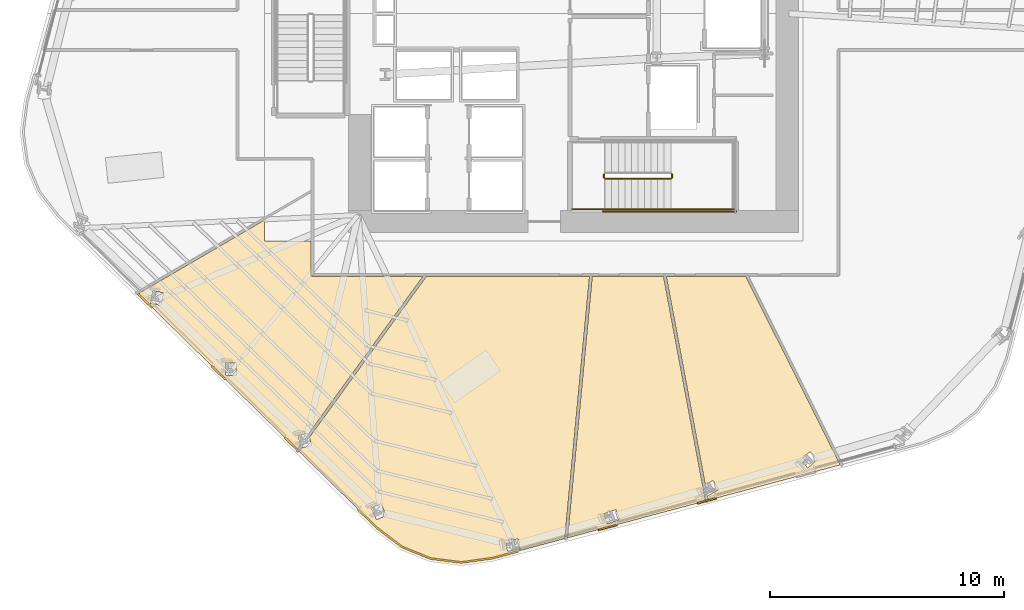
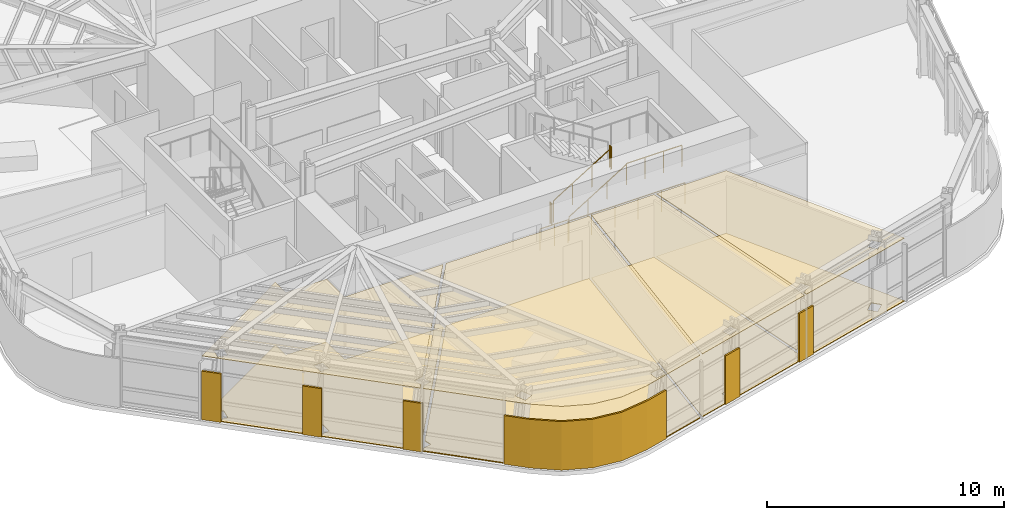
# One storey, part 11 of 16: 14 coverings, 7 railings.
"""IFC4 building model written with IfcOpenShell, lengths in metres."""

from ifc_helpers import new_model, si_unit, direction, frame, origin, origin_2d, place, context, subcontext, project, spatial, polyline, circle, outline, extrude, material, layer, layer_set, type_object, element, save


model = new_model("IFC4")

# Units and contexts
model_context = context("Model", 3, precision=1e-05, world=origin(), true_north=direction((0.0, 1.0)))
body_context = subcontext(model_context, "Body", "Model", "MODEL_VIEW")
ifc_project = project(units=[si_unit("LENGTHUNIT", "METRE"), si_unit("AREAUNIT", "SQUARE_METRE"), si_unit("VOLUMEUNIT", "CUBIC_METRE"), si_unit("PLANEANGLEUNIT", "RADIAN"), si_unit("MASSUNIT", "GRAM", prefix="KILO")], contexts=[model_context])

# Site, building, storey
site_placement = place(None, origin())
site = spatial("IfcSite", under=ifc_project, at=site_placement, CompositionType="ELEMENT")
building_placement = place(site_placement, origin())
building = spatial("IfcBuilding", under=site, at=building_placement, Name="Valkerne Bourse Tower", CompositionType="ELEMENT")
storey_placement = place(building_placement, frame((0.0, 0.0, 89.60009765625)))
storey = spatial("IfcBuildingStorey", under=building, at=storey_placement, Name="L22", CompositionType="ELEMENT", Elevation=89.60009765625)

# Coverings
ifc_material_1 = material(Name="Mineral Fiber Acoustic Ceiling Tile", Category="acoustic")
ifc_layer_1 = layer(ifc_material_1, 0.02490234375)
ifc_layer_set_1 = layer_set([ifc_layer_1], Name="Mineral Fiber Acoustic Ceiling Tile")
covering_type_1 = type_object("IfcCoveringType", Name="COV-CEIL-ACT", PredefinedType="CEILING", material=ifc_layer_set_1)
covering_1_placement = place(storey_placement, frame((0.0, 0.0, 3.22998046875)))
element("IfcCovering", 1, at=covering_1_placement, inside=storey, type_object=covering_type_1, Name="L22 Suspended Ceiling 03", PredefinedType="CEILING", context=body_context, shape_type="SweptSolid", body=[
    extrude(outline(polyline([(54.152099609375, 15.781005859375), (58.1826171875, 7.732421875), (52.54833984375, 6.22314453125), (52.510986328125, 6.421875), (52.521484375, 6.404541015625), (52.5244140625, 6.405517578125), (52.984130859375, 6.682861328125), (52.752685546875, 7.068603515625), (52.74951171875, 7.067626953125), (52.4267578125, 6.872802734375), (50.759521484375, 15.781005859375), (54.152099609375, 15.781005859375)]), holes=[polyline([(56.805908203125, 7.602783203125), (57.19970703125, 7.9677734375), (56.894287109375, 8.29833984375), (56.8916015625, 8.296875), (56.497802734375, 7.931640625), (56.80322265625, 7.601318359375), (56.805908203125, 7.602783203125)])]), origin(), (0.0, 0.0, 1.0), 0.02490234375),
])
covering_2_placement = place(storey_placement, frame((0.0, 0.0, 3.22998046875)))
element("IfcCovering", 2, at=covering_2_placement, inside=storey, type_object=covering_type_1, Name="L22 Suspended Ceiling 04", PredefinedType="CEILING", context=body_context, shape_type="SweptSolid", body=[
    extrude(outline(polyline([(50.6396484375, 15.781005859375), (52.31884765625, 6.807861328125), (52.289794921875, 6.790283203125), (52.336669921875, 6.712158203125), (52.43408203125, 6.1923828125), (46.543212890625, 4.614501953125), (47.598876953125, 15.781005859375), (50.6396484375, 15.781005859375)]), holes=[polyline([(48.75439453125, 5.400146484375), (48.60595703125, 5.824951171875), (48.602783203125, 5.82470703125), (48.09619140625, 5.646484375), (48.24462890625, 5.2216796875), (48.247802734375, 5.22216796875), (48.75439453125, 5.400146484375)])]), origin(), (0.0, 0.0, 1.0), 0.02490234375),
])
covering_3_placement = place(storey_placement, frame((0.0, 0.0, 3.22998046875)))
element("IfcCovering", 3, at=covering_3_placement, inside=storey, type_object=covering_type_1, Name="L22 Suspended Ceiling 05", PredefinedType="CEILING", context=body_context, shape_type="SweptSolid", body=[
    extrude(outline(polyline([(35.5810546875, 15.849609375), (35.587890625, 15.820068359375), (35.6083984375, 15.794677734375), (35.6494140625, 15.781005859375), (40.37060546875, 15.781005859375), (35.490966796875, 9.0693359375), (35.487548828125, 9.084228515625), (35.48486328125, 9.0859375), (35.047119140625, 8.985595703125), (35.1376953125, 8.58349609375), (34.995849609375, 8.388427734375), (28.205810546875, 15.037109375), (33.60009765625, 18.18310546875), (33.60009765625, 17.300048828125), (35.5810546875, 17.300048828125), (35.5810546875, 15.849609375)]), holes=[polyline([(32.39111328125, 12.085693359375), (32.388916015625, 12.087646484375), (31.93994140625, 12.07861328125), (31.948486328125, 11.541015625), (31.95068359375, 11.538818359375), (32.39990234375, 11.5478515625), (32.39111328125, 12.085693359375)]), polyline([(29.285400390625, 15.07568359375), (29.28369140625, 15.078369140625), (28.842041015625, 15.16064453125), (28.7412109375, 14.63232421875), (28.7431640625, 14.6298828125), (29.1845703125, 14.54736328125), (29.285400390625, 15.07568359375)])]), origin(), (0.0, 0.0, 1.0), 0.02490234375),
])
covering_4_placement = place(storey_placement, frame((0.0, 0.0, 3.22998046875)))
element("IfcCovering", 4, at=covering_4_placement, inside=storey, type_object=covering_type_1, Name="L22 Suspended Ceiling 09", PredefinedType="CEILING", context=body_context, shape_type="SweptSolid", body=[
    extrude(outline(polyline([(40.697021484375, 3.73681640625), (39.475341796875, 4.235595703125), (38.41650390625, 5.039306640625), (35.0810546875, 8.304931640625), (35.197998046875, 8.466064453125), (35.605712890625, 8.5595703125), (35.525390625, 8.916015625), (40.516357421875, 15.781005859375), (47.480224609375, 15.781005859375), (46.421630859375, 4.581787109375), (43.323486328125, 3.751953125), (42.006103515625, 3.571533203125), (40.697021484375, 3.73681640625)]), holes=[polyline([(44.513671875, 4.127197265625), (44.44775390625, 4.572509765625), (44.444580078125, 4.57275390625), (43.913818359375, 4.492919921875), (43.9794921875, 4.048095703125), (43.98291015625, 4.047607421875), (44.513671875, 4.127197265625)]), polyline([(38.582763671875, 6.068115234375), (38.57958984375, 6.069091796875), (38.168701171875, 5.888427734375), (38.383056640625, 5.395263671875), (38.385986328125, 5.39404296875), (38.797119140625, 5.574951171875), (38.582763671875, 6.068115234375)])]), origin(), (0.0, 0.0, 1.0), 0.02490234375),
])
ifc_material_2 = material(Name="Bronze Anodised Aluminium AA 6063-T6", Category="aluminium")
ifc_layer_2 = layer(ifc_material_2, 0.06005859375)
ifc_layer_set_2 = layer_set([ifc_layer_2], Name="Bronze Anodised Aluminium AA 6063-T6")
covering_type_2 = type_object("IfcCoveringType", Name="COV-CRN-ALUM", PredefinedType="CLADDING", material=ifc_layer_set_2)
covering_5_placement = place(storey_placement, origin())
element("IfcCovering", 5, at=covering_5_placement, inside=storey, type_object=covering_type_2, Name="L22 Wind-Shaped Corner Aluminium Cladding 03", PredefinedType="CLADDING", context=body_context, shape_type="SweptSolid", body=[
    extrude(outline(polyline([(52.09423828125, 6.055908203125), (52.072998046875, 6.133056640625), (52.884521484375, 6.350341796875), (52.905517578125, 6.273193359375), (52.09423828125, 6.055908203125)])), origin(), (0.0, 0.0, 1.0), 2.5),
])
covering_6_placement = place(storey_placement, origin())
element("IfcCovering", 6, at=covering_6_placement, inside=storey, type_object=covering_type_2, Name="L22 Wind-Shaped Corner Aluminium Cladding 04", PredefinedType="CLADDING", context=body_context, shape_type="SweptSolid", body=[
    extrude(outline(polyline([(47.8603515625, 4.921630859375), (47.83935546875, 4.998779296875), (48.650634765625, 5.21630859375), (48.671875, 5.13916015625), (47.8603515625, 4.921630859375)])), origin(), (0.0, 0.0, 1.0), 2.5),
])
covering_7_placement = place(storey_placement, origin())
element("IfcCovering", 7, at=covering_7_placement, inside=storey, type_object=covering_type_2, Name="L22 Wind-Shaped Corner Aluminium Cladding 05", PredefinedType="CLADDING", context=body_context, shape_type="SweptSolid", body=[
    extrude(outline(polyline([(43.33203125, 3.708740234375), (42.006591796875, 3.527099609375), (40.685791015625, 3.694091796875), (39.453369140625, 4.197021484375), (38.3876953125, 5.005859375), (37.569580078125, 5.806884765625), (37.625732421875, 5.864013671875), (38.43994140625, 5.066650390625), (39.493408203125, 4.26708984375), (40.706298828125, 3.77197265625), (42.006103515625, 3.60791015625), (43.31640625, 3.787353515625), (44.4169921875, 4.08203125), (44.43798828125, 4.0048828125), (43.33203125, 3.708740234375)])), origin(), (0.0, 0.0, 1.0), 2.5),
])
covering_8_placement = place(storey_placement, origin())
element("IfcCovering", 8, at=covering_8_placement, inside=storey, type_object=covering_type_2, Name="L22 Wind-Shaped Corner Aluminium Cladding 06", PredefinedType="CLADDING", context=body_context, shape_type="SweptSolid", body=[
    extrude(outline(polyline([(34.4375, 8.87353515625), (34.493896484375, 8.930419921875), (35.093994140625, 8.342529296875), (35.037841796875, 8.285888671875), (34.4375, 8.87353515625)])), origin(), (0.0, 0.0, 1.0), 2.5),
])
covering_9_placement = place(storey_placement, origin())
element("IfcCovering", 9, at=covering_9_placement, inside=storey, type_object=covering_type_2, Name="L22 Wind-Shaped Corner Aluminium Cladding 07", PredefinedType="CLADDING", context=body_context, shape_type="SweptSolid", body=[
    extrude(outline(polyline([(31.305908203125, 11.93994140625), (31.362060546875, 11.996826171875), (31.96240234375, 11.4091796875), (31.906005859375, 11.352294921875), (31.305908203125, 11.93994140625)])), origin(), (0.0, 0.0, 1.0), 2.5),
])
covering_10_placement = place(storey_placement, origin())
element("IfcCovering", 10, at=covering_10_placement, inside=storey, type_object=covering_type_2, Name="L22 Wind-Shaped Corner Aluminium Cladding 08", PredefinedType="CLADDING", context=body_context, shape_type="SweptSolid", body=[
    extrude(outline(polyline([(28.174072265625, 15.00634765625), (28.23046875, 15.063232421875), (28.83056640625, 14.4755859375), (28.7744140625, 14.418701171875), (28.174072265625, 15.00634765625)])), origin(), (0.0, 0.0, 1.0), 2.5),
])
ifc_material_3 = material(Name="Galvanised Painted Steel", Category="steel")
ifc_layer_3 = layer(ifc_material_3, 0.044921875)
ifc_layer_set_3 = layer_set([ifc_layer_3], Name="Galvanised Painted Steel")
covering_type_3 = type_object("IfcCoveringType", Name="COV-FLR-RAF", PredefinedType="FLOORING", material=ifc_layer_set_3)
covering_11_placement = place(storey_placement, origin())
element("IfcCovering", 11, at=covering_11_placement, inside=storey, type_object=covering_type_3, Name="L22 Floor Finish 09", PredefinedType="FLOORING", context=body_context, shape_type="SweptSolid", body=[
    extrude(outline(polyline([(40.697021484375, 3.73681640625), (39.475341796875, 4.235595703125), (38.41650390625, 5.039306640625), (35.0810546875, 8.304931640625), (35.197998046875, 8.466064453125), (35.605712890625, 8.5595703125), (35.525390625, 8.916015625), (40.516357421875, 15.781005859375), (47.480224609375, 15.781005859375), (46.421630859375, 4.581787109375), (43.323486328125, 3.751953125), (42.006103515625, 3.571533203125), (40.697021484375, 3.73681640625)]), holes=[polyline([(44.513671875, 4.127197265625), (44.44775390625, 4.572509765625), (44.444580078125, 4.57275390625), (43.913818359375, 4.492919921875), (43.9794921875, 4.048095703125), (43.98291015625, 4.047607421875), (44.513671875, 4.127197265625)]), polyline([(38.582763671875, 6.068115234375), (38.57958984375, 6.069091796875), (38.168701171875, 5.888427734375), (38.383056640625, 5.395263671875), (38.385986328125, 5.39404296875), (38.797119140625, 5.574951171875), (38.582763671875, 6.068115234375)])]), origin(), (0.0, 0.0, 1.0), 0.044921875),
])
ifc_material_4 = material(Name="Polished Granite Stone", Category="masonry")
ifc_layer_4 = layer(ifc_material_4, 0.030029296875)
ifc_layer_set_4 = layer_set([ifc_layer_4], Name="Polished Granite Stone")
covering_type_4 = type_object("IfcCoveringType", Name="COV-FLR-TERRAZZO", PredefinedType="FLOORING", material=ifc_layer_set_4)
covering_12_placement = place(storey_placement, origin())
element("IfcCovering", 12, at=covering_12_placement, inside=storey, type_object=covering_type_4, Name="L22 Floor Finish 03", PredefinedType="FLOORING", context=body_context, shape_type="SweptSolid", body=[
    extrude(outline(polyline([(54.152099609375, 15.781005859375), (58.1826171875, 7.732421875), (52.54833984375, 6.22314453125), (52.510986328125, 6.421875), (52.521484375, 6.404541015625), (52.5244140625, 6.405517578125), (52.984130859375, 6.682861328125), (52.752685546875, 7.068603515625), (52.74951171875, 7.067626953125), (52.4267578125, 6.872802734375), (50.759521484375, 15.781005859375), (54.152099609375, 15.781005859375)]), holes=[polyline([(56.805908203125, 7.602783203125), (57.19970703125, 7.9677734375), (56.894287109375, 8.29833984375), (56.8916015625, 8.296875), (56.497802734375, 7.931640625), (56.80322265625, 7.601318359375), (56.805908203125, 7.602783203125)])]), origin(), (0.0, 0.0, 1.0), 0.02978515625),
])
covering_13_placement = place(storey_placement, origin())
element("IfcCovering", 13, at=covering_13_placement, inside=storey, type_object=covering_type_4, Name="L22 Floor Finish 04", PredefinedType="FLOORING", context=body_context, shape_type="SweptSolid", body=[
    extrude(outline(polyline([(50.6396484375, 15.781005859375), (52.31884765625, 6.807861328125), (52.289794921875, 6.790283203125), (52.336669921875, 6.712158203125), (52.43408203125, 6.1923828125), (46.543212890625, 4.614501953125), (47.598876953125, 15.781005859375), (50.6396484375, 15.781005859375)]), holes=[polyline([(48.75439453125, 5.400146484375), (48.60595703125, 5.824951171875), (48.602783203125, 5.82470703125), (48.09619140625, 5.646484375), (48.24462890625, 5.2216796875), (48.247802734375, 5.22216796875), (48.75439453125, 5.400146484375)])]), origin(), (0.0, 0.0, 1.0), 0.02978515625),
])
covering_14_placement = place(storey_placement, origin())
element("IfcCovering", 14, at=covering_14_placement, inside=storey, type_object=covering_type_4, Name="L22 Floor Finish 05", PredefinedType="FLOORING", context=body_context, shape_type="SweptSolid", body=[
    extrude(outline(polyline([(35.5810546875, 15.849609375), (35.587890625, 15.820068359375), (35.6083984375, 15.794677734375), (35.6494140625, 15.781005859375), (40.37060546875, 15.781005859375), (35.490966796875, 9.0693359375), (35.487548828125, 9.084228515625), (35.48486328125, 9.0859375), (35.047119140625, 8.985595703125), (35.1376953125, 8.58349609375), (34.995849609375, 8.388427734375), (28.205810546875, 15.037109375), (33.60009765625, 18.18310546875), (33.60009765625, 17.300048828125), (35.5810546875, 17.300048828125), (35.5810546875, 15.849609375)]), holes=[polyline([(32.39111328125, 12.085693359375), (32.388916015625, 12.087646484375), (31.93994140625, 12.07861328125), (31.948486328125, 11.541015625), (31.95068359375, 11.538818359375), (32.39990234375, 11.5478515625), (32.39111328125, 12.085693359375)]), polyline([(29.285400390625, 15.07568359375), (29.28369140625, 15.078369140625), (28.842041015625, 15.16064453125), (28.7412109375, 14.63232421875), (28.7431640625, 14.6298828125), (29.1845703125, 14.54736328125), (29.285400390625, 15.07568359375)])]), origin(), (0.0, 0.0, 1.0), 0.02978515625),
])

# Railings
railing_type_1 = type_object("IfcRailingType", Name="RLG-ST-GUARD-1120", PredefinedType="GUARDRAIL", material=ifc_material_3)
railing_1_placement = place(storey_placement, frame((48.14990234375, 19.949951171875, 0.172607421875)))
element("IfcRailing", 15, at=railing_1_placement, inside=storey, type_object=railing_type_1, Name="L22 ST-1 stair guard 1", PredefinedType="GUARDRAIL", context=body_context, shape_type="SweptSolid", body=[
    extrude(circle(Radius=0.02392578125, at=origin_2d()), frame((0.0, 0.0, 1.09619140625), z_axis=(0.851089632645, 0.0, 0.525020415988), x_axis=(0.0, 1.0, 0.0)), (0.0, 0.0, 1.0), 3.2900390625),
    extrude(circle(Radius=0.02099609375, at=origin_2d()), origin(), (0.0, 0.0, 1.0), 1.072021484375),
    extrude(circle(Radius=0.02099609375, at=origin_2d()), frame((0.933349609375, 0.0, 0.57568359375)), (0.0, 0.0, 1.0), 1.072021484375),
    extrude(circle(Radius=0.02099609375, at=origin_2d()), frame((1.86669921875, 0.0, 1.151611328125)), (0.0, 0.0, 1.0), 1.072021484375),
    extrude(circle(Radius=0.02099609375, at=origin_2d()), frame((2.800048828125, 0.0, 1.727294921875)), (0.0, 0.0, 1.0), 1.072021484375),
])
railing_2_placement = place(storey_placement, frame((51.0, 20.0, 1.89990234375)))
element("IfcRailing", 16, at=railing_2_placement, inside=storey, type_object=railing_type_1, Name="L22 ST-1 stair guard 2", PredefinedType="GUARDRAIL", context=body_context, shape_type="SweptSolid", body=[
    extrude(circle(Radius=0.02392578125, at=origin_2d()), frame((0.0, 0.0, 1.09619140625), z_axis=(0.0, 1.0, 0.0), x_axis=(-1.0, 0.0, 0.0)), (0.0, 0.0, 1.0), 0.14990234375),
    extrude(circle(Radius=0.02099609375, at=origin_2d()), origin(), (0.0, 0.0, 1.0), 1.072021484375),
    extrude(circle(Radius=0.02099609375, at=origin_2d()), frame((0.0, 0.14990234375, 0.0)), (0.0, 0.0, 1.0), 1.072021484375),
])
railing_3_placement = place(storey_placement, frame((50.949951171875, 18.64990234375, 1.89990234375)))
element("IfcRailing", 17, at=railing_3_placement, inside=storey, type_object=railing_type_1, Name="L22 ST-1 stair guard 3", PredefinedType="GUARDRAIL", context=body_context, shape_type="SweptSolid", body=[
    extrude(circle(Radius=0.02392578125, at=origin_2d()), frame((0.0, 0.0, 1.09619140625), z_axis=(1.0, 0.0, 0.0), x_axis=(0.0, 1.0, 0.0)), (0.0, 0.0, 1.0), 2.699951171875),
    extrude(circle(Radius=0.02099609375, at=origin_2d()), origin(), (0.0, 0.0, 1.0), 1.072021484375),
    extrude(circle(Radius=0.02099609375, at=origin_2d()), frame((0.89990234375, 0.0, 0.0)), (0.0, 0.0, 1.0), 1.072021484375),
    extrude(circle(Radius=0.02099609375, at=origin_2d()), frame((1.800048828125, 0.0, 0.0)), (0.0, 0.0, 1.0), 1.072021484375),
    extrude(circle(Radius=0.02099609375, at=origin_2d()), frame((2.699951171875, 0.0, 0.0)), (0.0, 0.0, 1.0), 1.072021484375),
])
railing_4_placement = place(storey_placement, frame((48.10009765625, 20.0, 0.0)))
element("IfcRailing", 18, at=railing_4_placement, inside=storey, type_object=railing_type_1, Name="L22 ST-1 stair guard 7", PredefinedType="GUARDRAIL", context=body_context, shape_type="SweptSolid", body=[
    extrude(circle(Radius=0.02392578125, at=origin_2d()), frame((0.0, 0.0, 1.09619140625), z_axis=(0.0, 1.0, 0.0), x_axis=(-1.0, 0.0, 0.0)), (0.0, 0.0, 1.0), 0.14990234375),
    extrude(circle(Radius=0.02099609375, at=origin_2d()), origin(), (0.0, 0.0, 1.0), 1.072021484375),
    extrude(circle(Radius=0.02099609375, at=origin_2d()), frame((0.0, 0.14990234375, 0.0)), (0.0, 0.0, 1.0), 1.072021484375),
])
railing_5_placement = place(storey_placement, frame((46.75, 18.64990234375, 0.0)))
element("IfcRailing", 19, at=railing_5_placement, inside=storey, type_object=railing_type_1, Name="L22 ST-1 stair guard 8", PredefinedType="GUARDRAIL", context=body_context, shape_type="SweptSolid", body=[
    extrude(circle(Radius=0.02392578125, at=origin_2d()), frame((0.0, 0.0, 1.09619140625), z_axis=(1.0, 0.0, 0.0), x_axis=(0.0, 1.0, 0.0)), (0.0, 0.0, 1.0), 1.39990234375),
    extrude(circle(Radius=0.02099609375, at=origin_2d()), origin(), (0.0, 0.0, 1.0), 1.072021484375),
    extrude(circle(Radius=0.02099609375, at=origin_2d()), frame((0.699951171875, 0.0, 0.0)), (0.0, 0.0, 1.0), 1.072021484375),
    extrude(circle(Radius=0.02099609375, at=origin_2d()), frame((1.39990234375, 0.0, 0.0)), (0.0, 0.0, 1.0), 1.072021484375),
])
railing_6_placement = place(storey_placement, frame((48.050048828125, 18.550048828125, 0.0)))
element("IfcRailing", 20, at=railing_6_placement, inside=storey, type_object=railing_type_1, Name="L22 ST-1 stair guard 10", PredefinedType="GUARDRAIL", context=body_context, shape_type="SweptSolid", body=[
    extrude(circle(Radius=0.02392578125, at=origin_2d()), frame((0.0, 0.0, 1.09619140625), z_axis=(1.0, 0.0, 0.0), x_axis=(0.0, 1.0, 0.0)), (0.0, 0.0, 1.0), 5.699951171875),
    extrude(circle(Radius=0.02099609375, at=origin_2d()), origin(), (0.0, 0.0, 1.0), 1.072021484375),
    extrude(circle(Radius=0.02099609375, at=origin_2d()), frame((1.139892578125, 0.0, 0.0)), (0.0, 0.0, 1.0), 1.072021484375),
    extrude(circle(Radius=0.02099609375, at=origin_2d()), frame((2.280029296875, 0.0, 0.0)), (0.0, 0.0, 1.0), 1.072021484375),
    extrude(circle(Radius=0.02099609375, at=origin_2d()), frame((3.419921875, 0.0, 0.0)), (0.0, 0.0, 1.0), 1.072021484375),
    extrude(circle(Radius=0.02099609375, at=origin_2d()), frame((4.56005859375, 0.0, 0.0)), (0.0, 0.0, 1.0), 1.072021484375),
    extrude(circle(Radius=0.02099609375, at=origin_2d()), frame((5.699951171875, 0.0, 0.0)), (0.0, 0.0, 1.0), 1.072021484375),
])
ifc_material_5 = material(Name="Stainless Steel AISI 316", Category="steel")
railing_type_2 = type_object("IfcRailingType", Name="RLG-ST-HANDRAIL-900", PredefinedType="HANDRAIL", material=ifc_material_5)
railing_7_placement = place(storey_placement, frame((48.14990234375, 18.64990234375, 0.345458984375)))
element("IfcRailing", 21, at=railing_7_placement, inside=storey, type_object=railing_type_2, Name="L22 ST-1 stair handrail 1", PredefinedType="HANDRAIL", context=body_context, shape_type="SweptSolid", body=[
    extrude(circle(Radius=0.02392578125, at=origin_2d()), frame((0.0, 0.0, 0.8759765625), z_axis=(0.851122791225, 0.0, 0.524966660138), x_axis=(0.0, 1.0, 0.0)), (0.0, 0.0, 1.0), 3.289794921875),
    extrude(circle(Radius=0.02099609375, at=origin_2d()), origin(), (0.0, 0.0, 1.0), 0.851806640625),
    extrude(circle(Radius=0.02099609375, at=origin_2d()), frame((0.933349609375, 0.0, 0.57568359375)), (0.0, 0.0, 1.0), 0.851806640625),
    extrude(circle(Radius=0.02099609375, at=origin_2d()), frame((1.86669921875, 0.0, 1.1513671875)), (0.0, 0.0, 1.0), 0.851806640625),
    extrude(circle(Radius=0.02099609375, at=origin_2d()), frame((2.800048828125, 0.0, 1.72705078125)), (0.0, 0.0, 1.0), 0.851806640625),
])

save(model, "model.ifc")
